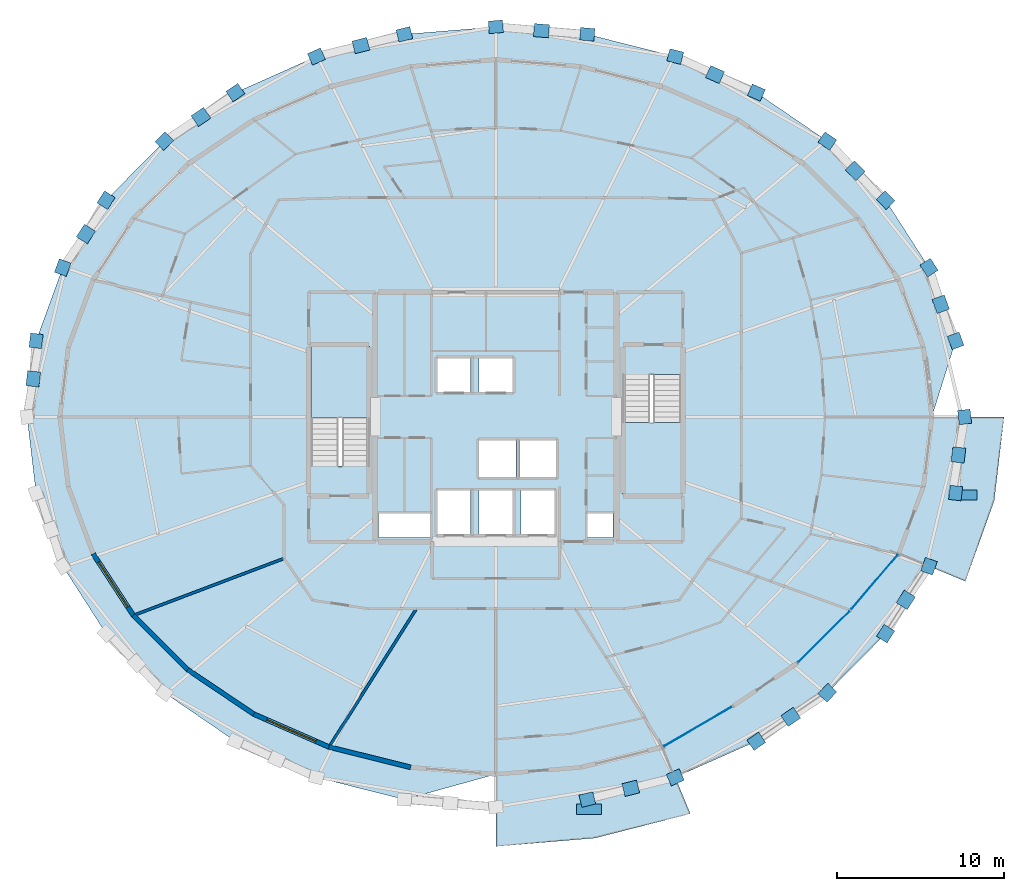
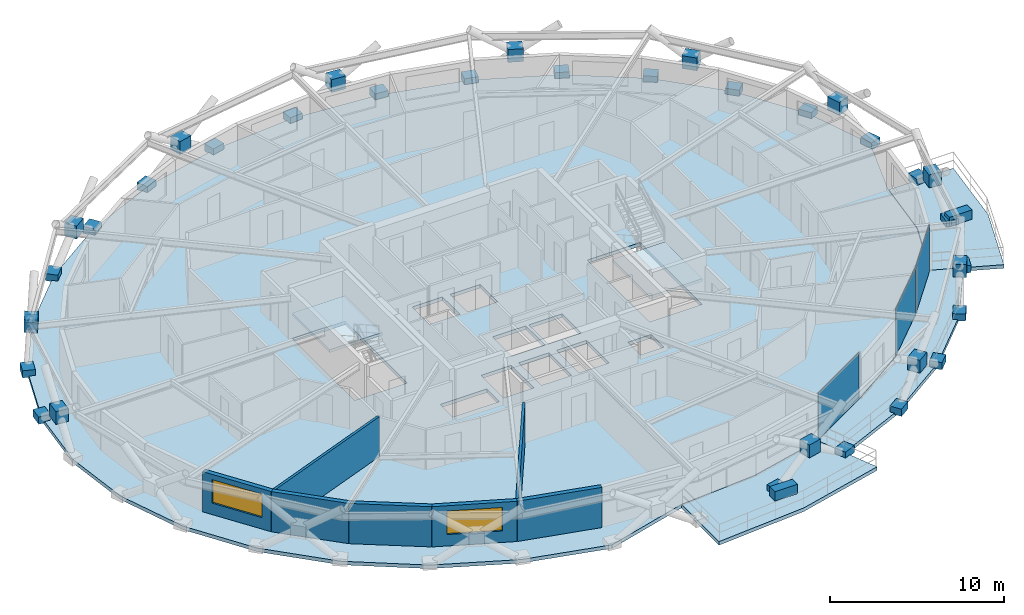
# One storey, part 9 of 16: 40 plates, 7 walls, 6 slabs, 2 windows, 2 openings, 4 elements without a shape of their own.
"""IFC4 building model written with IfcOpenShell, lengths in metres."""

import ifcopenshell
import ifcopenshell.guid

model = None  # the IFC model being written
_history = None  # IfcOwnerHistory: only IFC2X3 demands one
_inside = {}  # id of a spatial element -> (the spatial element, [elements in it])
_under = {}  # id of a project, library or spatial element -> (it, [spatial elements below it])
_declared = {}  # id of a project -> (the project, [libraries it declares])
_typed = {}  # id of a type object -> (the type object, [elements of that type])
_made_of = {}  # id of a material, layer set ... -> (it, [elements and type objects made of it])


def new_model(schema):
    """Start an empty IFC model of exactly this schema.

    Asked for "IFC4X3", IfcOpenShell would pick the latest addendum, in which some entities
    have other attributes; the version numbers below select the first issue.
    IFC2X3 requires an IfcOwnerHistory on every rooted entity: one is made here for all.
    """
    global model, _history
    if schema == "IFC4X3":
        model = ifcopenshell.file(schema_version=(4, 3, 0, 0))
    else:
        model = ifcopenshell.file(schema=schema)
    _inside.clear()
    _under.clear()
    _declared.clear()
    _typed.clear()
    _made_of.clear()
    _history = None
    if model.schema == "IFC2X3":
        org = make("IfcOrganization", Name="unknown")
        user = make(
            "IfcPersonAndOrganization",
            ThePerson=make("IfcPerson", FamilyName="unknown"),
            TheOrganization=org,
        )
        app = make(
            "IfcApplication",
            ApplicationDeveloper=org,
            Version="unknown",
            ApplicationFullName="unknown",
            ApplicationIdentifier="unknown",
        )
        _history = make(
            "IfcOwnerHistory",
            OwningUser=user,
            OwningApplication=app,
            ChangeAction="ADDED",
            CreationDate=0,
        )
    return model


def make(cls, **values):
    """One entity of the class cls with the attributes given. An attribute that is None is left unset."""
    return model.create_entity(
        cls, **{name: value for name, value in values.items() if value is not None}
    )


def rooted(cls, **values):
    """An entity with a GlobalId (a new one), such as an element, a storey or a relation."""
    return make(cls, GlobalId=ifcopenshell.guid.new(), OwnerHistory=_history, **values)


def si_unit(unit_type, name, prefix=None):
    """IfcSIUnit, for example si_unit("LENGTHUNIT", "METRE", prefix="MILLI")."""
    return make("IfcSIUnit", UnitType=unit_type, Prefix=prefix, Name=name)


def assignment(units):
    """IfcUnitAssignment: the units of a project."""
    return None if units is None else make("IfcUnitAssignment", Units=units)


def point(xyz):
    """IfcCartesianPoint."""
    return None if xyz is None else make("IfcCartesianPoint", Coordinates=xyz)


def direction(xyz):
    """IfcDirection."""
    return None if xyz is None else make("IfcDirection", DirectionRatios=xyz)


def frame(location, z_axis=None, x_axis=None):
    """IfcAxis2Placement3D, a coordinate frame: its origin and axes. An axis left out is left unset."""
    return make(
        "IfcAxis2Placement3D",
        Location=point(location),
        Axis=direction(z_axis),
        RefDirection=direction(x_axis),
    )


def frame_2d(location, x_axis=None):
    """IfcAxis2Placement2D, a coordinate frame in the plane: its origin and x axis."""
    return make(
        "IfcAxis2Placement2D", Location=point(location), RefDirection=direction(x_axis)
    )


def origin():
    """The frame at (0, 0, 0) with its axes left unset."""
    return frame((0.0, 0.0, 0.0))


def origin_2d():
    """The frame at (0, 0) in the plane with its x axis left unset."""
    return frame_2d((0.0, 0.0))


def place(relative_to, where):
    """IfcLocalPlacement: puts the frame where relative to a parent placement (None: the world)."""
    return make(
        "IfcLocalPlacement", PlacementRelTo=relative_to, RelativePlacement=where
    )


def context(
    kind, dimensions, precision=None, world=None, true_north=None, identifier=None
):
    """IfcGeometricRepresentationContext, for example the 3D "Model" context."""
    return make(
        "IfcGeometricRepresentationContext",
        ContextIdentifier=identifier,
        ContextType=kind,
        CoordinateSpaceDimension=dimensions,
        Precision=precision,
        WorldCoordinateSystem=world,
        TrueNorth=true_north,
    )


def subcontext(parent, identifier, kind, view, scale=None):
    """IfcGeometricRepresentationSubContext, for example "Body" below "Model"."""
    return make(
        "IfcGeometricRepresentationSubContext",
        ContextIdentifier=identifier,
        ContextType=kind,
        ParentContext=parent,
        TargetScale=scale,
        TargetView=view,
    )


def project(units=None, contexts=None):
    """IfcProject with its units and contexts."""
    return rooted(
        "IfcProject",
        Name="project",
        RepresentationContexts=contexts,
        UnitsInContext=assignment(units),
    )


def spatial(cls, under=None, at=None, **own):
    """A site, building, storey or space (cls), placed at a placement, below another one or the project."""
    s = rooted(cls, ObjectPlacement=at, **own)
    if under is not None:
        _under.setdefault(under.id(), (under, []))[1].append(s)
    return s


def polyline(points):
    """IfcPolyline through the points."""
    return make("IfcPolyline", Points=[point(p) for p in points])


def profile(cls, at=None, kind="AREA", **sizes):
    """A parametric profile (cls). Its sizes go by their IFC names, for example OverallWidth=200.0."""
    return make(cls, ProfileType=kind, Position=at, **sizes)


def rectangle(**sizes):
    """IfcRectangleProfileDef."""
    return profile("IfcRectangleProfileDef", **sizes)


def outline(outer, holes=None, kind="AREA"):
    """IfcArbitraryClosedProfileDef: a profile drawn as a closed curve; with holes, ...WithVoids."""
    if holes is None:
        return make("IfcArbitraryClosedProfileDef", ProfileType=kind, OuterCurve=outer)
    return make(
        "IfcArbitraryProfileDefWithVoids",
        ProfileType=kind,
        OuterCurve=outer,
        InnerCurves=holes,
    )


def extrude(swept, where, along, depth):
    """IfcExtrudedAreaSolid: the profile swept, set in the frame where, extruded along a direction by depth."""
    return make(
        "IfcExtrudedAreaSolid",
        SweptArea=swept,
        Position=where,
        ExtrudedDirection=direction(along),
        Depth=depth,
    )


def shape(context_of_items, identifier, shape_type, items):
    """IfcShapeRepresentation: the items that make up one representation, for example the "Body"."""
    return make(
        "IfcShapeRepresentation",
        ContextOfItems=context_of_items,
        RepresentationIdentifier=identifier,
        RepresentationType=shape_type,
        Items=items,
    )


def material(Name=None, Category=None):
    """IfcMaterial."""
    return make("IfcMaterial", Name=Name, Category=Category)


def layer(
    of_material, thickness, ventilated=None, Name=None, Category=None, Priority=None
):
    """IfcMaterialLayer: one layer of a wall or slab, of a material (None: an air gap)."""
    return make(
        "IfcMaterialLayer",
        Material=of_material,
        LayerThickness=thickness,
        IsVentilated=ventilated,
        Name=Name,
        Category=Category,
        Priority=Priority,
    )


def layer_set(layers, Name=None):
    """IfcMaterialLayerSet."""
    return make("IfcMaterialLayerSet", MaterialLayers=layers, LayerSetName=Name)


def made_of(thing, what):
    """Note that an element or type object is made of a material, layer set ...; save() writes the relation."""
    if what is not None:
        _made_of.setdefault(what.id(), (what, []))[1].append(thing)
    return thing


def type_object(cls, material=None, **own):
    """A type object (cls), such as IfcWallType, which elements share."""
    return made_of(rooted(cls, **own), material)


def element(
    cls,
    number,
    at=None,
    inside=None,
    cuts=None,
    type_object=None,
    material=None,
    context=None,
    identifier="Body",
    shape_type=None,
    held_by="IfcProductDefinitionShape",
    body=None,
    shapes=None,
    **own,
):
    """One element of the class cls, such as IfcWall. Its Tag is "e" and its number.

    at: its placement. inside: the storey or other place that contains it. cuts: it is an
    opening in that element (IfcRelVoidsElement). A single representation is given by context,
    identifier, shape_type and body (its items); several are given by shapes. held_by: the class
    of the entity that holds the representations. save() writes the other relations.
    """
    e = rooted(cls, Tag="e%d" % number, ObjectPlacement=at, **own)
    if body is not None:
        shapes = [shape(context, identifier, shape_type, body)]
    if shapes is not None:
        e.Representation = make(held_by, Representations=shapes)
    if inside is not None:
        _inside.setdefault(inside.id(), (inside, []))[1].append(e)
    if cuts is not None:
        rooted(
            "IfcRelVoidsElement", RelatingBuildingElement=cuts, RelatedOpeningElement=e
        )
    if type_object is not None:
        _typed.setdefault(type_object.id(), (type_object, []))[1].append(e)
    return made_of(e, material)


def fill(opening, filler):
    """IfcRelFillsElement: the door or window that sits in an opening."""
    return rooted(
        "IfcRelFillsElement",
        RelatingOpeningElement=opening,
        RelatedBuildingElement=filler,
    )


def aggregate(whole, parts):
    """IfcRelAggregates: a whole, such as a stair, and the parts it consists of."""
    return rooted("IfcRelAggregates", RelatingObject=whole, RelatedObjects=parts)


def save(model, path):
    """Write the relations noted so far, then the file.

    IfcRelAggregates (storeys below a building ...), IfcRelContainedInSpatialStructure (elements
    in a storey), IfcRelDefinesByType, IfcRelAssociatesMaterial and IfcRelDeclares: one each for
    every whole, place, type object, material and project.
    """
    for whole, parts in _under.values():
        aggregate(whole, parts)
    for where, things in _inside.values():
        rooted(
            "IfcRelContainedInSpatialStructure",
            RelatedElements=things,
            RelatingStructure=where,
        )
    for kind, things in _typed.values():
        rooted("IfcRelDefinesByType", RelatedObjects=things, RelatingType=kind)
    for what, things in _made_of.values():
        rooted("IfcRelAssociatesMaterial", RelatedObjects=things, RelatingMaterial=what)
    for by, libraries in _declared.values():
        rooted("IfcRelDeclares", RelatingContext=by, RelatedDefinitions=libraries)
    model.write(path)


model = new_model("IFC4")

# Units and contexts
model_context = context("Model", 3, precision=1e-05, world=origin(), true_north=direction((0.0, 1.0)))
body_context = subcontext(model_context, "Body", "Model", "MODEL_VIEW")
ifc_project = project(units=[si_unit("LENGTHUNIT", "METRE"), si_unit("AREAUNIT", "SQUARE_METRE"), si_unit("VOLUMEUNIT", "CUBIC_METRE"), si_unit("PLANEANGLEUNIT", "RADIAN"), si_unit("MASSUNIT", "GRAM", prefix="KILO")], contexts=[model_context])

# Site, building, storey
site_placement = place(None, origin())
site = spatial("IfcSite", under=ifc_project, at=site_placement, CompositionType="ELEMENT")
building_placement = place(site_placement, origin())
building = spatial("IfcBuilding", under=site, at=building_placement, Name="Veldorina Hangang Commons", CompositionType="ELEMENT")
storey_placement = place(building_placement, frame((0.0, 0.0, 174.800048828125)))
storey = spatial("IfcBuildingStorey", under=building, at=storey_placement, Name="L45", CompositionType="ELEMENT", Elevation=174.800048828125)

# Curtain wall, plate
ifc_material_1 = material(Name="Glass Low-E Triple IGU", Category="glass")
ifc_layer_1 = layer(ifc_material_1, 0.179931640625)
ifc_layer_set_1 = layer_set([ifc_layer_1], Name="Glass Low-E Triple IGU")
curtain_wall_type = type_object("IfcCurtainWallType", Name="CW-SYS-Z2", PredefinedType="NOTDEFINED", material=ifc_layer_set_1)
curtain_wall_1_placement = place(storey_placement, origin())
curtain_wall_1 = element("IfcCurtainWall", 1, at=curtain_wall_1_placement, inside=storey, type_object=curtain_wall_type, Name="L45 unitised curtain wall CW-L45-R1", PredefinedType="NOTDEFINED")
ifc_layer_2 = layer(ifc_material_1, 0.0400390625)
ifc_layer_set_2 = layer_set([ifc_layer_2], Name="Glass Low-E Triple IGU")
plate_type_1 = type_object("IfcPlateType", Name="CW-PNL-VIS", PredefinedType="CURTAIN_PANEL", material=ifc_layer_set_2)
plate_1_placement = place(storey_placement, frame((44.060546875, 5.503173828125, 0.01513671875), z_axis=(0.0, 0.0, 1.0), x_axis=(0.864397687112, 0.502808749443, 0.0)))
plate_1 = element("IfcPlate", 2, at=plate_1_placement, type_object=plate_type_1, Name="CW-L45-R1 facet 1 glazed vision panel", PredefinedType="CURTAIN_PANEL", context=body_context, shape_type="SweptSolid", body=[
    extrude(rectangle(XDim=4.668212890625, YDim=0.0400390625, at=origin_2d()), origin(), (0.0, 0.0, 1.0), 3.280029296875),
])
aggregate(curtain_wall_1, [plate_1])

# Curtain wall, plates
curtain_wall_2_placement = place(storey_placement, origin())
curtain_wall_2 = element("IfcCurtainWall", 3, at=curtain_wall_2_placement, inside=storey, type_object=curtain_wall_type, Name="L45 unitised curtain wall CW-L45-R2", PredefinedType="NOTDEFINED")
plate_2_placement = place(storey_placement, frame((51.601318359375, 10.880859375, 0.01513671875), z_axis=(0.0, 0.0, 1.0), x_axis=(0.709312426955, 0.704894233887, 0.0)))
plate_2 = element("IfcPlate", 4, at=plate_2_placement, type_object=plate_type_1, Name="CW-L45-R2 facet 1 glazed vision panel", PredefinedType="CURTAIN_PANEL", context=body_context, shape_type="SweptSolid", body=[
    extrude(rectangle(XDim=4.287353515625, YDim=0.0400390625, at=origin_2d()), origin(), (0.0, 0.0, 1.0), 3.280029296875),
])
plate_3_placement = place(storey_placement, frame((54.621826171875, 14.144287109375, 0.01513671875), z_axis=(0.0, 0.0, 1.0), x_axis=(0.647721071713, 0.761877557918, 0.0)))
plate_3 = element("IfcPlate", 5, at=plate_3_placement, type_object=plate_type_1, Name="CW-L45-R2 facet 2 glazed vision panel", PredefinedType="CURTAIN_PANEL", context=body_context, shape_type="SweptSolid", body=[
    extrude(rectangle(XDim=4.25390625, YDim=0.0400390625, at=origin_2d()), origin(), (0.0, 0.0, 1.0), 3.280029296875),
])
aggregate(curtain_wall_2, [plate_2, plate_3])

# Plates
ifc_material_2 = material(Name="Steel SM460-TMC", Category="steel")
ifc_layer_3 = layer(ifc_material_2, 0.035888671875)
ifc_layer_set_3 = layer_set([ifc_layer_3], Name="Steel SM460-TMC")
plate_type_2 = type_object("IfcPlateType", Name="PL-STAR-36", PredefinedType="USERDEFINED", material=ifc_layer_set_3)
for number, where, z_axis, x_axis, name in (
    (6, (60.0, 24.0, -0.090087890625), (0.0, 0.0, 1.0), (-0.117537397458, 0.993068456955, 0.0), "L45 diagrid star-node gusset plate 00"),
    (7, (59.4619140625, 28.545654296875, -0.090087890625), (0.0, 0.0, 1.0), (-0.342495720671, 0.939519388476, 0.0), "L45 diagrid star-node gusset plate 01"),
):
    element("IfcPlate", number, at=place(storey_placement, frame(where, z_axis=z_axis, x_axis=x_axis)), inside=storey, type_object=plate_type_2, Name=name, ObjectType="GUSSET PLATE", PredefinedType="USERDEFINED", context=body_context, shape_type="SweptSolid", body=[
        extrude(rectangle(XDim=0.85009765625, YDim=0.75, at=origin_2d()), origin(), (0.0, 0.0, 1.0), 0.5),
    ])
plate_4_placement = place(storey_placement, frame((58.572021484375, 30.730224609375, 1.351318359375), z_axis=(0.0, 0.0, 1.0), x_axis=(-0.342495720671, 0.939519388476, 0.0)))
element("IfcPlate", 8, at=plate_4_placement, inside=storey, type_object=plate_type_2, Name="L45 diagrid X-crossing star-node gusset plate 01", ObjectType="GUSSET PLATE", PredefinedType="USERDEFINED", context=body_context, shape_type="SweptSolid", body=[
    extrude(rectangle(XDim=0.89990234375, YDim=0.780029296875, at=origin_2d()), origin(), (0.0, 0.0, 1.0), 0.89990234375),
])
for number, where, z_axis, x_axis, name in (
    (9, (57.86865234375, 32.91650390625, -0.090087890625), (0.0, 0.0, 1.0), (-0.540445924222, 0.841378751213, 0.0), "L45 diagrid star-node gusset plate 02"),
    (10, (55.281005859375, 36.94482421875, -0.090087890625), (0.0, 0.0, 1.0), (-0.702177906965, 0.712001535792, 0.0), "L45 diagrid star-node gusset plate 03"),
):
    element("IfcPlate", number, at=place(storey_placement, frame(where, z_axis=z_axis, x_axis=x_axis)), inside=storey, type_object=plate_type_2, Name=name, ObjectType="GUSSET PLATE", PredefinedType="USERDEFINED", context=body_context, shape_type="SweptSolid", body=[
        extrude(rectangle(XDim=0.85009765625, YDim=0.75, at=origin_2d()), origin(), (0.0, 0.0, 1.0), 0.5),
    ])
plate_5_placement = place(storey_placement, frame((53.4658203125, 38.709228515625, 1.353515625), z_axis=(0.0, 0.0, 1.0), x_axis=(-0.702177906965, 0.712001535792, 0.0)))
element("IfcPlate", 11, at=plate_5_placement, inside=storey, type_object=plate_type_2, Name="L45 diagrid X-crossing star-node gusset plate 03", ObjectType="GUSSET PLATE", PredefinedType="USERDEFINED", context=body_context, shape_type="SweptSolid", body=[
    extrude(rectangle(XDim=0.89990234375, YDim=0.780029296875, at=origin_2d()), origin(), (0.0, 0.0, 1.0), 0.89990234375),
])
for number, where, z_axis, x_axis, name in (
    (12, (51.799072265625, 40.4755859375, -0.090087890625), (0.0, 0.0, 1.0), (-0.82580311972, 0.563958515726, 0.0), "L45 diagrid star-node gusset plate 04"),
    (13, (47.555908203125, 43.373291015625, -0.090087890625), (0.0, 0.0, 1.0), (-0.913694473044, 0.406401783865, 0.0), "L45 diagrid star-node gusset plate 05"),
):
    element("IfcPlate", number, at=place(storey_placement, frame(where, z_axis=z_axis, x_axis=x_axis)), inside=storey, type_object=plate_type_2, Name=name, ObjectType="GUSSET PLATE", PredefinedType="USERDEFINED", context=body_context, shape_type="SweptSolid", body=[
        extrude(rectangle(XDim=0.85009765625, YDim=0.75, at=origin_2d()), origin(), (0.0, 0.0, 1.0), 0.5),
    ])
plate_6_placement = place(storey_placement, frame((45.089599609375, 44.447509765625, 1.35546875), z_axis=(0.0, 0.0, 1.0), x_axis=(-0.913694473044, 0.406401783865, 0.0)))
element("IfcPlate", 14, at=plate_6_placement, inside=storey, type_object=plate_type_2, Name="L45 diagrid X-crossing star-node gusset plate 05", ObjectType="GUSSET PLATE", PredefinedType="USERDEFINED", context=body_context, shape_type="SweptSolid", body=[
    extrude(rectangle(XDim=0.89990234375, YDim=0.780029296875, at=origin_2d()), origin(), (0.0, 0.0, 1.0), 0.89990234375),
])
for number, where, z_axis, x_axis, name in (
    (15, (42.715087890625, 45.5263671875, -0.090087890625), (0.0, 0.0, 1.0), (-0.969586476003, 0.244748984784, 0.0), "L45 diagrid star-node gusset plate 06"),
    (16, (37.46240234375, 46.852294921875, -0.090087890625), (0.0, 0.0, 1.0), (-0.996658804115, 0.081677586767, 0.0), "L45 diagrid star-node gusset plate 07"),
):
    element("IfcPlate", number, at=place(storey_placement, frame(where, z_axis=z_axis, x_axis=x_axis)), inside=storey, type_object=plate_type_2, Name=name, ObjectType="GUSSET PLATE", PredefinedType="USERDEFINED", context=body_context, shape_type="SweptSolid", body=[
        extrude(rectangle(XDim=0.85009765625, YDim=0.75, at=origin_2d()), origin(), (0.0, 0.0, 1.0), 0.5),
    ])
plate_7_placement = place(storey_placement, frame((34.721435546875, 47.07080078125, 1.3564453125), z_axis=(0.0, 0.0, 1.0), x_axis=(-0.996658804115, 0.081677586767, 0.0)))
element("IfcPlate", 17, at=plate_7_placement, inside=storey, type_object=plate_type_2, Name="L45 diagrid X-crossing star-node gusset plate 07", ObjectType="GUSSET PLATE", PredefinedType="USERDEFINED", context=body_context, shape_type="SweptSolid", body=[
    extrude(rectangle(XDim=0.89990234375, YDim=0.780029296875, at=origin_2d()), origin(), (0.0, 0.0, 1.0), 0.89990234375),
])
for number, where, z_axis, x_axis, name in (
    (18, (32.0, 47.300048828125, -0.090087890625), (0.0, 0.0, 1.0), (-0.996658804115, -0.081677586767, 0.0), "L45 diagrid star-node gusset plate 08"),
    (19, (26.53759765625, 46.852294921875, -0.090087890625), (0.0, 0.0, 1.0), (-0.969586476003, -0.244748984784, 0.0), "L45 diagrid star-node gusset plate 09"),
):
    element("IfcPlate", number, at=place(storey_placement, frame(where, z_axis=z_axis, x_axis=x_axis)), inside=storey, type_object=plate_type_2, Name=name, ObjectType="GUSSET PLATE", PredefinedType="USERDEFINED", context=body_context, shape_type="SweptSolid", body=[
        extrude(rectangle(XDim=0.85009765625, YDim=0.75, at=origin_2d()), origin(), (0.0, 0.0, 1.0), 0.5),
    ])
plate_8_placement = place(storey_placement, frame((23.94091796875, 46.181396484375, 1.356201171875), z_axis=(0.0, 0.0, 1.0), x_axis=(-0.969586476003, -0.244748984784, 0.0)))
element("IfcPlate", 20, at=plate_8_placement, inside=storey, type_object=plate_type_2, Name="L45 diagrid X-crossing star-node gusset plate 09", ObjectType="GUSSET PLATE", PredefinedType="USERDEFINED", context=body_context, shape_type="SweptSolid", body=[
    extrude(rectangle(XDim=0.89990234375, YDim=0.780029296875, at=origin_2d()), origin(), (0.0, 0.0, 1.0), 0.89990234375),
])
for number, where, z_axis, x_axis, name in (
    (21, (21.284912109375, 45.5263671875, -0.090087890625), (0.0, 0.0, 1.0), (-0.913694473044, -0.406401783865, 0.0), "L45 diagrid star-node gusset plate 10"),
    (22, (16.444091796875, 43.373291015625, -0.090087890625), (0.0, 0.0, 1.0), (-0.82580311972, -0.563958515726, 0.0), "L45 diagrid star-node gusset plate 11"),
):
    element("IfcPlate", number, at=place(storey_placement, frame(where, z_axis=z_axis, x_axis=x_axis)), inside=storey, type_object=plate_type_2, Name=name, ObjectType="GUSSET PLATE", PredefinedType="USERDEFINED", context=body_context, shape_type="SweptSolid", body=[
        extrude(rectangle(XDim=0.85009765625, YDim=0.75, at=origin_2d()), origin(), (0.0, 0.0, 1.0), 0.5),
    ])
plate_9_placement = place(storey_placement, frame((14.38818359375, 41.91650390625, 1.3544921875), z_axis=(0.0, 0.0, 1.0), x_axis=(-0.82580311972, -0.563958515726, 0.0)))
element("IfcPlate", 23, at=plate_9_placement, inside=storey, type_object=plate_type_2, Name="L45 diagrid X-crossing star-node gusset plate 11", ObjectType="GUSSET PLATE", PredefinedType="USERDEFINED", context=body_context, shape_type="SweptSolid", body=[
    extrude(rectangle(XDim=0.89990234375, YDim=0.780029296875, at=origin_2d()), origin(), (0.0, 0.0, 1.0), 0.89990234375),
])
for number, where, z_axis, x_axis, name in (
    (24, (12.200927734375, 40.4755859375, -0.090087890625), (0.0, 0.0, 1.0), (-0.702177906965, -0.712001535792, 0.0), "L45 diagrid star-node gusset plate 12"),
    (25, (8.718994140625, 36.94482421875, -0.090087890625), (0.0, 0.0, 1.0), (-0.540445924222, -0.841378751213, 0.0), "L45 diagrid star-node gusset plate 13"),
):
    element("IfcPlate", number, at=place(storey_placement, frame(where, z_axis=z_axis, x_axis=x_axis)), inside=storey, type_object=plate_type_2, Name=name, ObjectType="GUSSET PLATE", PredefinedType="USERDEFINED", context=body_context, shape_type="SweptSolid", body=[
        extrude(rectangle(XDim=0.85009765625, YDim=0.75, at=origin_2d()), origin(), (0.0, 0.0, 1.0), 0.5),
    ])
plate_10_placement = place(storey_placement, frame((7.516357421875, 34.92578125, 1.352294921875), z_axis=(0.0, 0.0, 1.0), x_axis=(-0.540445924222, -0.841378751213, 0.0)))
element("IfcPlate", 26, at=plate_10_placement, inside=storey, type_object=plate_type_2, Name="L45 diagrid X-crossing star-node gusset plate 13", ObjectType="GUSSET PLATE", PredefinedType="USERDEFINED", context=body_context, shape_type="SweptSolid", body=[
    extrude(rectangle(XDim=0.89990234375, YDim=0.780029296875, at=origin_2d()), origin(), (0.0, 0.0, 1.0), 0.89990234375),
])
for number, where, z_axis, x_axis, name in (
    (27, (6.13134765625, 32.91650390625, -0.090087890625), (0.0, 0.0, 1.0), (-0.342495720671, -0.939519388476, 0.0), "L45 diagrid star-node gusset plate 14"),
    (28, (4.5380859375, 28.545654296875, -0.090087890625), (0.0, 0.0, 1.0), (-0.117537397458, -0.993068456955, 0.0), "L45 diagrid star-node gusset plate 15"),
):
    element("IfcPlate", number, at=place(storey_placement, frame(where, z_axis=z_axis, x_axis=x_axis)), inside=storey, type_object=plate_type_2, Name=name, ObjectType="GUSSET PLATE", PredefinedType="USERDEFINED", context=body_context, shape_type="SweptSolid", body=[
        extrude(rectangle(XDim=0.85009765625, YDim=0.75, at=origin_2d()), origin(), (0.0, 0.0, 1.0), 0.5),
    ])
plate_11_placement = place(storey_placement, frame((4.369140625, 26.272216796875, 1.3505859375), z_axis=(0.0, 0.0, 1.0), x_axis=(-0.117537397458, -0.993068456955, 0.0)))
element("IfcPlate", 29, at=plate_11_placement, inside=storey, type_object=plate_type_2, Name="L45 diagrid X-crossing star-node gusset plate 15", ObjectType="GUSSET PLATE", PredefinedType="USERDEFINED", context=body_context, shape_type="SweptSolid", body=[
    extrude(rectangle(XDim=0.89990234375, YDim=0.780029296875, at=origin_2d()), origin(), (0.0, 0.0, 1.0), 0.89990234375),
])
plate_12_placement = place(storey_placement, frame((37.46240234375, 1.147705078125, -0.090087890625), z_axis=(0.0, 0.0, 1.0), x_axis=(0.969586476003, 0.244748984784, 0.0)))
element("IfcPlate", 30, at=plate_12_placement, inside=storey, type_object=plate_type_2, Name="L45 diagrid star-node gusset plate 25", ObjectType="GUSSET PLATE", PredefinedType="USERDEFINED", context=body_context, shape_type="SweptSolid", body=[
    extrude(rectangle(XDim=0.85009765625, YDim=0.75, at=origin_2d()), origin(), (0.0, 0.0, 1.0), 0.5),
])
plate_13_placement = place(storey_placement, frame((40.05908203125, 1.818603515625, 1.356201171875), z_axis=(0.0, 0.0, 1.0), x_axis=(0.969586476003, 0.244748984784, 0.0)))
element("IfcPlate", 31, at=plate_13_placement, inside=storey, type_object=plate_type_2, Name="L45 diagrid X-crossing star-node gusset plate 25", ObjectType="GUSSET PLATE", PredefinedType="USERDEFINED", context=body_context, shape_type="SweptSolid", body=[
    extrude(rectangle(XDim=0.89990234375, YDim=0.780029296875, at=origin_2d()), origin(), (0.0, 0.0, 1.0), 0.89990234375),
])
for number, where, z_axis, x_axis, name in (
    (32, (42.715087890625, 2.4736328125, -0.090087890625), (0.0, 0.0, 1.0), (0.913694473044, 0.406401783865, 0.0), "L45 diagrid star-node gusset plate 26"),
    (33, (47.555908203125, 4.626708984375, -0.090087890625), (0.0, 0.0, 1.0), (0.82580311972, 0.563958515726, 0.0), "L45 diagrid star-node gusset plate 27"),
):
    element("IfcPlate", number, at=place(storey_placement, frame(where, z_axis=z_axis, x_axis=x_axis)), inside=storey, type_object=plate_type_2, Name=name, ObjectType="GUSSET PLATE", PredefinedType="USERDEFINED", context=body_context, shape_type="SweptSolid", body=[
        extrude(rectangle(XDim=0.85009765625, YDim=0.75, at=origin_2d()), origin(), (0.0, 0.0, 1.0), 0.5),
    ])
plate_14_placement = place(storey_placement, frame((49.61181640625, 6.08349609375, 1.3544921875), z_axis=(0.0, 0.0, 1.0), x_axis=(0.82580311972, 0.563958515726, 0.0)))
element("IfcPlate", 34, at=plate_14_placement, inside=storey, type_object=plate_type_2, Name="L45 diagrid X-crossing star-node gusset plate 27", ObjectType="GUSSET PLATE", PredefinedType="USERDEFINED", context=body_context, shape_type="SweptSolid", body=[
    extrude(rectangle(XDim=0.89990234375, YDim=0.780029296875, at=origin_2d()), origin(), (0.0, 0.0, 1.0), 0.89990234375),
])
for number, where, z_axis, x_axis, name in (
    (35, (51.799072265625, 7.5244140625, -0.090087890625), (0.0, 0.0, 1.0), (0.702177906965, 0.712001535792, 0.0), "L45 diagrid star-node gusset plate 28"),
    (36, (55.281005859375, 11.05517578125, -0.090087890625), (0.0, 0.0, 1.0), (0.540445924222, 0.841378751213, 0.0), "L45 diagrid star-node gusset plate 29"),
):
    element("IfcPlate", number, at=place(storey_placement, frame(where, z_axis=z_axis, x_axis=x_axis)), inside=storey, type_object=plate_type_2, Name=name, ObjectType="GUSSET PLATE", PredefinedType="USERDEFINED", context=body_context, shape_type="SweptSolid", body=[
        extrude(rectangle(XDim=0.85009765625, YDim=0.75, at=origin_2d()), origin(), (0.0, 0.0, 1.0), 0.5),
    ])
plate_15_placement = place(storey_placement, frame((56.483642578125, 13.07421875, 1.352294921875), z_axis=(0.0, 0.0, 1.0), x_axis=(0.540445924222, 0.841378751213, 0.0)))
element("IfcPlate", 37, at=plate_15_placement, inside=storey, type_object=plate_type_2, Name="L45 diagrid X-crossing star-node gusset plate 29", ObjectType="GUSSET PLATE", PredefinedType="USERDEFINED", context=body_context, shape_type="SweptSolid", body=[
    extrude(rectangle(XDim=0.89990234375, YDim=0.780029296875, at=origin_2d()), origin(), (0.0, 0.0, 1.0), 0.89990234375),
])
for number, where, z_axis, x_axis, name in (
    (38, (57.86865234375, 15.08349609375, -0.090087890625), (0.0, 0.0, 1.0), (0.342495720671, 0.939519388476, 0.0), "L45 diagrid star-node gusset plate 30"),
    (39, (59.4619140625, 19.454345703125, -0.090087890625), (0.0, 0.0, 1.0), (0.117537397458, 0.993068456955, 0.0), "L45 diagrid star-node gusset plate 31"),
):
    element("IfcPlate", number, at=place(storey_placement, frame(where, z_axis=z_axis, x_axis=x_axis)), inside=storey, type_object=plate_type_2, Name=name, ObjectType="GUSSET PLATE", PredefinedType="USERDEFINED", context=body_context, shape_type="SweptSolid", body=[
        extrude(rectangle(XDim=0.85009765625, YDim=0.75, at=origin_2d()), origin(), (0.0, 0.0, 1.0), 0.5),
    ])
plate_16_placement = place(storey_placement, frame((59.630859375, 21.727783203125, 1.3505859375), z_axis=(0.0, 0.0, 1.0), x_axis=(0.117537397458, 0.993068456955, 0.0)))
element("IfcPlate", 40, at=plate_16_placement, inside=storey, type_object=plate_type_2, Name="L45 diagrid X-crossing star-node gusset plate 31", ObjectType="GUSSET PLATE", PredefinedType="USERDEFINED", context=body_context, shape_type="SweptSolid", body=[
    extrude(rectangle(XDim=0.89990234375, YDim=0.780029296875, at=origin_2d()), origin(), (0.0, 0.0, 1.0), 0.89990234375),
])
ifc_material_3 = material(Name="Stone Roman Travertine", Category="masonry")
ifc_layer_4 = layer(ifc_material_3, 0.64990234375)
ifc_layer_set_4 = layer_set([ifc_layer_4], Name="Stone Roman Travertine")
plate_type_3 = type_object("IfcPlateType", Name="PLN-TBAL-1800", PredefinedType="USERDEFINED", material=ifc_layer_set_4)
for number, where, z_axis, x_axis, name in (
    (41, (37.566162109375, 0.567626953125, 0.0), (0.0, 0.0, 1.0), (1.0, 0.0, 0.0), "L45 TREE BALCONY PLANTER 1"),
    (42, (59.98291015625, 19.339111328125, 0.0), (0.0, 0.0, 1.0), (1.0, 0.0, 0.0), "L45 TREE BALCONY PLANTER 2"),
):
    element("IfcPlate", number, at=place(storey_placement, frame(where, z_axis=z_axis, x_axis=x_axis)), inside=storey, type_object=plate_type_3, Name=name, ObjectType="PLANTER", PredefinedType="USERDEFINED", context=body_context, shape_type="SweptSolid", body=[
        extrude(rectangle(XDim=1.5, YDim=0.60009765625, at=origin_2d()), origin(), (0.0, 0.0, 1.0), 0.64990234375),
    ])

# Slabs
ifc_material_4 = material(Name="Concrete C40/50", Category="concrete")
ifc_layer_5 = layer(ifc_material_4, 0.25)
ifc_layer_set_5 = layer_set([ifc_layer_5], Name="Concrete C40/50")
slab_type_1 = type_object("IfcSlabType", Name="SL-FLR-250", PredefinedType="FLOOR", material=ifc_layer_set_5)
slab_1_placement = place(storey_placement, frame((0.0, 0.0, -0.25)))
element("IfcSlab", 43, at=slab_1_placement, inside=storey, type_object=slab_type_1, Name="L45 tower structural floor slab", PredefinedType="FLOOR", context=body_context, shape_type="SweptSolid", body=[
    extrude(outline(polyline([(58.0400390625, 24.0), (59.4619140625, 28.545654296875), (57.86865234375, 32.91650390625), (55.281005859375, 36.94482421875), (51.799072265625, 40.4755859375), (47.555908203125, 43.373291015625), (42.715087890625, 45.5263671875), (37.46240234375, 46.852294921875), (32.0, 47.300048828125), (26.53759765625, 46.852294921875), (21.284912109375, 45.5263671875), (16.444091796875, 43.373291015625), (12.200927734375, 40.4755859375), (8.718994140625, 36.94482421875), (6.13134765625, 32.91650390625), (4.5380859375, 28.545654296875), (4.0, 24.0), (4.5380859375, 19.454345703125), (6.13134765625, 15.08349609375), (8.718994140625, 11.05517578125), (12.200927734375, 7.5244140625), (16.444091796875, 4.626708984375), (21.284912109375, 2.4736328125), (26.53759765625, 1.147705078125), (32.0, 2.659912109375), (37.080078125, 3.070068359375), (41.965087890625, 4.284423828125), (46.156005859375, 6.72216796875), (50.01708984375, 9.306396484375), (53.185791015625, 12.455322265625), (56.057861328125, 15.83349609375), (57.53955078125, 19.8369140625), (58.0400390625, 24.0)]), holes=[polyline([(20.949951171875, 21.05810546875), (20.949951171875, 28.199951171875), (24.449951171875, 28.199951171875), (24.449951171875, 21.05810546875), (20.949951171875, 21.05810546875)]), polyline([(43.050048828125, 26.5419921875), (43.050048828125, 19.39990234375), (39.550048828125, 19.39990234375), (39.550048828125, 26.5419921875), (43.050048828125, 26.5419921875)]), polyline([(28.5, 27.5), (30.5, 27.5), (30.5, 25.5), (28.5, 25.5), (28.5, 27.5)]), polyline([(31.0, 27.5), (33.0, 27.5), (33.0, 25.5), (31.0, 25.5), (31.0, 27.5)]), polyline([(31.0, 22.60009765625), (33.199951171875, 22.60009765625), (33.199951171875, 20.39990234375), (31.0, 20.39990234375), (31.0, 22.60009765625)]), polyline([(33.39990234375, 22.60009765625), (35.60009765625, 22.60009765625), (35.60009765625, 20.39990234375), (33.39990234375, 20.39990234375), (33.39990234375, 22.60009765625)]), polyline([(28.5, 19.60009765625), (30.5, 19.60009765625), (30.5, 17.0), (28.5, 17.0), (28.5, 19.60009765625)]), polyline([(31.0, 19.60009765625), (33.0, 19.60009765625), (33.0, 17.0), (31.0, 17.0), (31.0, 19.60009765625)]), polyline([(33.5, 19.60009765625), (35.5, 19.60009765625), (35.5, 17.0), (33.5, 17.0), (33.5, 19.60009765625)]), polyline([(25.0, 18.25), (28.10009765625, 18.25), (28.10009765625, 16.800048828125), (25.0, 16.800048828125), (25.0, 18.25)]), polyline([(37.449951171875, 18.25), (39.0, 18.25), (39.0, 16.800048828125), (37.449951171875, 16.800048828125), (37.449951171875, 18.25)])]), origin(), (0.0, 0.0, 1.0), 0.25),
])
slab_2_placement = place(storey_placement, frame((0.0, 0.0, -0.25)))
element("IfcSlab", 44, at=slab_2_placement, inside=storey, type_object=slab_type_1, Name="L45 sky-garden loggia outdoor slab", PredefinedType="FLOOR", context=body_context, shape_type="SweptSolid", body=[
    extrude(outline(polyline([(57.86865234375, 15.08349609375), (55.281005859375, 11.05517578125), (51.799072265625, 7.5244140625), (47.555908203125, 4.626708984375), (42.715087890625, 2.4736328125), (41.970703125, 4.2705078125), (41.971435546875, 4.270751953125), (41.97265625, 4.271484375), (46.163330078125, 6.708984375), (46.164306640625, 6.709716796875), (50.025390625, 9.293701171875), (50.026611328125, 9.294677734375), (50.027587890625, 9.295654296875), (53.1962890625, 12.444580078125), (53.197265625, 12.445556640625), (56.069091796875, 15.82373046875), (56.070068359375, 15.82470703125), (56.07080078125, 15.825927734375), (56.0712890625, 15.8271484375), (56.071533203125, 15.827880859375), (57.86865234375, 15.08349609375)])), origin(), (0.0, 0.0, 1.0), 0.25),
])
slab_3_placement = place(storey_placement, frame((0.0, 0.0, -0.25)))
element("IfcSlab", 45, at=slab_3_placement, inside=storey, type_object=slab_type_1, Name="L45 planted tree balcony slab 1", PredefinedType="FLOOR", context=body_context, shape_type="SweptSolid", body=[
    extrude(outline(polyline([(37.083984375, 3.05029296875), (41.97265625, 4.265869140625), (43.614501953125, 0.302490234375), (37.9208984375, -1.156982421875), (32.0, -1.64990234375), (32.0, 2.639892578125), (37.083984375, 3.05029296875)])), origin(), (0.0, 0.0, 1.0), 0.25),
])
slab_4_placement = place(storey_placement, frame((0.0, 0.0, -0.25)))
element("IfcSlab", 46, at=slab_4_placement, inside=storey, type_object=slab_type_1, Name="L45 planted tree balcony slab 2", PredefinedType="FLOOR", context=body_context, shape_type="SweptSolid", body=[
    extrude(outline(polyline([(57.559326171875, 19.8330078125), (58.06005859375, 24.0), (62.35009765625, 24.0), (61.766845703125, 18.995849609375), (60.039794921875, 14.18408203125), (56.076416015625, 15.825927734375), (57.559326171875, 19.8330078125)])), origin(), (0.0, 0.0, 1.0), 0.25),
])

# Stair, slab
stair_type = type_object("IfcStairType", Name="STR-DOG-1650-20R", PredefinedType="HALF_TURN_STAIR", material=ifc_material_4)
stair_1_placement = place(storey_placement, origin())
stair_1 = element("IfcStair", 47, at=stair_1_placement, inside=storey, type_object=stair_type, Name="L45 Exit stair ST-1", PredefinedType="HALF_TURN_STAIR")
ifc_layer_6 = layer(ifc_material_4, 0.199951171875)
ifc_layer_set_6 = layer_set([ifc_layer_6], Name="Concrete C40/50")
slab_type_2 = type_object("IfcSlabType", Name="SL-LND-200", PredefinedType="LANDING", material=ifc_layer_set_6)
slab_5_placement = place(storey_placement, frame((0.0, 0.0, 1.599853515625)))
slab_5 = element("IfcSlab", 48, at=slab_5_placement, type_object=slab_type_2, Name="ST-1 landing 1", PredefinedType="LANDING", context=body_context, shape_type="SweptSolid", body=[
    extrude(outline(polyline([(24.449951171875, 23.929931640625), (24.449951171875, 28.199951171875), (20.949951171875, 28.199951171875), (20.949951171875, 23.929931640625), (24.449951171875, 23.929931640625)])), origin(), (0.0, 0.0, 1.0), 0.2001953125),
])
aggregate(stair_1, [slab_5])

stair_2_placement = place(storey_placement, origin())
stair_2 = element("IfcStair", 49, at=stair_2_placement, inside=storey, type_object=stair_type, Name="L45 Exit stair ST-2", PredefinedType="HALF_TURN_STAIR")
slab_6_placement = place(storey_placement, frame((0.0, 0.0, 1.599853515625)))
slab_6 = element("IfcSlab", 50, at=slab_6_placement, type_object=slab_type_2, Name="ST-2 landing 1", PredefinedType="LANDING", context=body_context, shape_type="SweptSolid", body=[
    extrude(outline(polyline([(39.550048828125, 23.669921875), (39.550048828125, 19.39990234375), (43.050048828125, 19.39990234375), (43.050048828125, 23.669921875), (39.550048828125, 23.669921875)])), origin(), (0.0, 0.0, 1.0), 0.2001953125),
])
aggregate(stair_2, [slab_6])

# Wall, opening, window
ifc_layer_7 = layer(ifc_material_3, 0.280029296875)
ifc_layer_set_7 = layer_set([ifc_layer_7], Name="Stone Roman Travertine")
wall_type_1 = type_object("IfcWallType", Name="EW-TRAV-280", PredefinedType="STANDARD", material=ifc_layer_set_7)
wall_1_placement = place(storey_placement, frame((7.942138671875, 15.83349609375, 0.0), z_axis=(0.0, 0.0, 1.0), x_axis=(0.54628130625, -0.837601775573, 0.0)))
wall_1 = element("IfcWall", 51, at=wall_1_placement, inside=storey, type_object=wall_type_1, Name="L45 travertine facade wall 18", PredefinedType="STANDARD", context=body_context, shape_type="SweptSolid", body=[
    extrude(rectangle(XDim=4.40478515625, YDim=0.280029296875, at=frame_2d((2.202392578125, 0.0))), origin(), (0.0, 0.0, 1.0), 2.820068359375),
])
opening_1_placement = place(wall_1_placement, frame((0.602294921875, 0.0, 0.800048828125)))
opening_1 = element("IfcOpeningElement", 52, at=opening_1_placement, cuts=wall_1, Name="Opening W-01", PredefinedType="OPENING", context=body_context, shape_type="SweptSolid", body=[
    extrude(rectangle(XDim=3.199951171875, YDim=1.64990234375, at=frame_2d((1.60009765625, 0.824951171875))), frame((0.0, 0.14990234375, 0.0), z_axis=(0.0, -1.0, 0.0), x_axis=(1.0, 0.0, 0.0)), (0.0, 0.0, 1.0), 0.300048828125),
])
window_type = type_object("IfcWindowType", Name="WIN-TWR-3200", PartitioningType="SINGLE_PANEL", PredefinedType="WINDOW", material=ifc_material_1)
window_1_placement = place(opening_1_placement, origin())
window_1 = element("IfcWindow", 53, at=window_1_placement, inside=storey, type_object=window_type, Name="L45 facade window 18", OverallHeight=1.64990234375, OverallWidth=3.199951171875, PartitioningType="SINGLE_PANEL", PredefinedType="WINDOW", context=body_context, shape_type="SweptSolid", body=[
    extrude(rectangle(XDim=3.199951171875, YDim=1.64990234375, at=frame_2d((1.60009765625, 0.824951171875))), frame((0.0, 0.030029296875, 0.0), z_axis=(0.0, -1.0, 0.0), x_axis=(1.0, 0.0, 0.0)), (0.0, 0.0, 1.0), 0.06005859375),
])
fill(opening_1, window_1)

# Walls
wall_2_placement = place(storey_placement, frame((10.348388671875, 12.14404296875, 0.0), z_axis=(0.0, 0.0, 1.0), x_axis=(0.707640043992, -0.706573115919, 0.0)))
element("IfcWall", 54, at=wall_2_placement, inside=storey, type_object=wall_type_1, Name="L45 travertine facade wall 19", PredefinedType="STANDARD", context=body_context, shape_type="SweptSolid", body=[
    extrude(rectangle(XDim=4.576416015625, YDim=0.280029296875, at=frame_2d((2.2880859375, 0.0))), origin(), (0.0, 0.0, 1.0), 2.820068359375),
])
wall_3_placement = place(storey_placement, frame((13.5869140625, 8.910400390625, 0.0), z_axis=(0.0, 0.0, 1.0), x_axis=(0.829776575502, -0.558095721851, 0.0)))
element("IfcWall", 55, at=wall_3_placement, inside=storey, type_object=wall_type_1, Name="L45 travertine facade wall 20", PredefinedType="STANDARD", context=body_context, shape_type="SweptSolid", body=[
    extrude(rectangle(XDim=4.755615234375, YDim=0.280029296875, at=frame_2d((2.3779296875, 0.0))), origin(), (0.0, 0.0, 1.0), 2.820068359375),
])

# Wall, opening, window
wall_4_placement = place(storey_placement, frame((17.532958984375, 6.25634765625, 0.0), z_axis=(0.0, 0.0, 1.0), x_axis=(0.915983961181, -0.401214883647, 0.0)))
wall_4 = element("IfcWall", 56, at=wall_4_placement, inside=storey, type_object=wall_type_1, Name="L45 travertine facade wall 21", PredefinedType="STANDARD", context=body_context, shape_type="SweptSolid", body=[
    extrude(rectangle(XDim=4.914794921875, YDim=0.280029296875, at=frame_2d((2.45751953125, 0.0))), origin(), (0.0, 0.0, 1.0), 2.820068359375),
])
opening_2_placement = place(wall_4_placement, frame((0.857421875, 0.0, 0.800048828125)))
opening_2 = element("IfcOpeningElement", 57, at=opening_2_placement, cuts=wall_4, Name="Opening W-01", PredefinedType="OPENING", context=body_context, shape_type="SweptSolid", body=[
    extrude(rectangle(XDim=3.199951171875, YDim=1.64990234375, at=frame_2d((1.60009765625, 0.824951171875))), frame((0.0, 0.14990234375, 0.0), z_axis=(0.0, -1.0, 0.0), x_axis=(1.0, 0.0, 0.0)), (0.0, 0.0, 1.0), 0.300048828125),
])
window_2_placement = place(opening_2_placement, origin())
window_2 = element("IfcWindow", 58, at=window_2_placement, inside=storey, type_object=window_type, Name="L45 facade window 21", OverallHeight=1.64990234375, OverallWidth=3.199951171875, PartitioningType="SINGLE_PANEL", PredefinedType="WINDOW", context=body_context, shape_type="SweptSolid", body=[
    extrude(rectangle(XDim=3.199951171875, YDim=1.64990234375, at=frame_2d((1.60009765625, 0.824951171875))), frame((0.0, 0.030029296875, 0.0), z_axis=(0.0, -1.0, 0.0), x_axis=(1.0, 0.0, 0.0)), (0.0, 0.0, 1.0), 0.06005859375),
])
fill(opening_2, window_2)

# Walls
wall_5_placement = place(storey_placement, frame((22.034912109375, 4.284423828125, 0.0), z_axis=(0.0, 0.0, 1.0), x_axis=(0.970464034564, -0.241245844766, 0.0)))
element("IfcWall", 59, at=wall_5_placement, inside=storey, type_object=wall_type_1, Name="L45 travertine facade wall 22", PredefinedType="STANDARD", context=body_context, shape_type="SweptSolid", body=[
    extrude(rectangle(XDim=5.03369140625, YDim=0.280029296875, at=frame_2d((2.516845703125, 0.0))), origin(), (0.0, 0.0, 1.0), 2.820068359375),
])
ifc_material_5 = material(Name="Gypsum Fire-Rated Twin Stud Wall", Category="gypsum")
ifc_layer_8 = layer(ifc_material_5, 0.159912109375)
ifc_layer_set_8 = layer_set([ifc_layer_8], Name="Gypsum Fire-Rated Twin Stud Wall")
wall_type_2 = type_object("IfcWallType", Name="WL-FIRE-160", PredefinedType="SOLIDWALL", material=ifc_layer_set_8)
wall_6_placement = place(storey_placement, frame((19.35009765625, 15.547607421875, 0.0), z_axis=(0.0, 0.0, 1.0), x_axis=(-0.935375198529, -0.353656949568, 0.0)))
element("IfcWall", 60, at=wall_6_placement, inside=storey, type_object=wall_type_2, Name="L45 Unit party wall 19 124", PredefinedType="SOLIDWALL", context=body_context, shape_type="SweptSolid", body=[
    extrude(rectangle(XDim=9.573486328125, YDim=0.159912109375, at=frame_2d((4.78662109375, 0.0))), origin(), (0.0, 0.0, 1.0), 2.800048828125),
])
wall_7_placement = place(storey_placement, frame((27.25732421875, 12.550048828125, 0.0), z_axis=(0.0, 0.0, 1.0), x_axis=(-0.534145959156, -0.845392272449, 0.0)))
element("IfcWall", 61, at=wall_7_placement, inside=storey, type_object=wall_type_2, Name="L45 Unit party wall 22 125", PredefinedType="SOLIDWALL", context=body_context, shape_type="SweptSolid", body=[
    extrude(rectangle(XDim=9.727294921875, YDim=0.159912109375, at=frame_2d((4.86376953125, 0.0))), origin(), (0.0, 0.0, 1.0), 2.800048828125),
])

save(model, "model.ifc")
